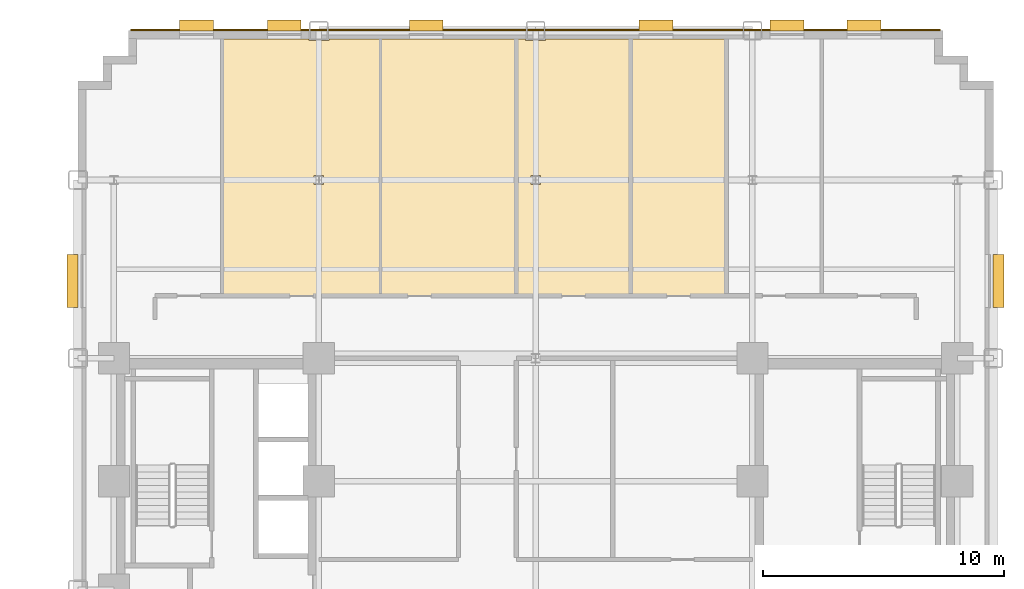
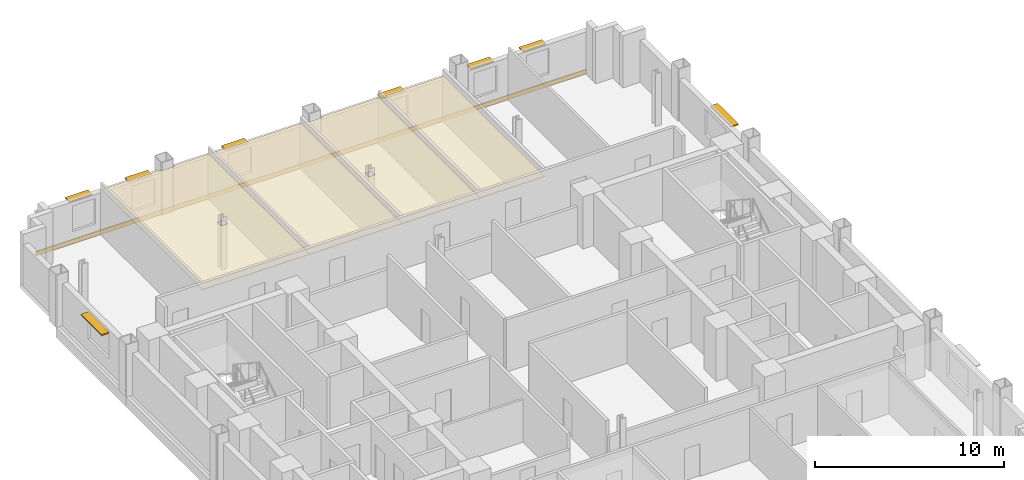
# One storey, part 12 of 12: 8 shading devices, 5 coverings.
"""IFC4 building model written with IfcOpenShell, lengths in metres."""

from ifc_helpers import new_model, si_unit, direction, frame, origin, origin_2d, place, context, subcontext, project, spatial, polyline, rectangle, outline, extrude, source, transform, mapped, material, layer, layer_set, type_object, type_shapes, element, save


model = new_model("IFC4")

# Units and contexts
model_context = context("Model", 3, precision=1e-05, world=origin(), true_north=direction((0.0, 1.0)))
body_context = subcontext(model_context, "Body", "Model", "MODEL_VIEW")
ifc_project = project(units=[si_unit("LENGTHUNIT", "METRE"), si_unit("AREAUNIT", "SQUARE_METRE"), si_unit("VOLUMEUNIT", "CUBIC_METRE"), si_unit("PLANEANGLEUNIT", "RADIAN"), si_unit("MASSUNIT", "GRAM", prefix="KILO")], contexts=[model_context])

# Site, building, storey
site_placement = place(None, origin())
site = spatial("IfcSite", under=ifc_project, at=site_placement, CompositionType="ELEMENT")
building_placement = place(site_placement, origin())
building = spatial("IfcBuilding", under=site, at=building_placement, Name="Nuvemarco Arch Tower", CompositionType="ELEMENT")
storey_placement = place(building_placement, frame((0.0, 0.0, 49.5)))
storey = spatial("IfcBuildingStorey", under=building, at=storey_placement, Name="L12", CompositionType="ELEMENT", Elevation=49.5)

# Coverings
ifc_material_1 = material(Name="Mineral acoustic ceiling tile")
ifc_layer_1 = layer(ifc_material_1, 0.0400390625, Name="COV-ACOUSTIC-CLG")
ifc_layer_set_1 = layer_set([ifc_layer_1], Name="Mineral acoustic ceiling tile")
covering_type_1 = type_object("IfcCoveringType", Name="COV-ACOUSTIC-CLG", PredefinedType="CEILING", material=ifc_layer_set_1)
covering_1_placement = place(storey_placement, frame((0.0, 0.0, 2.85009765625)))
element("IfcCovering", 1, at=covering_1_placement, inside=storey, type_object=covering_type_1, Name="L12 suspended acoustic ceiling 2", PredefinedType="CEILING", context=body_context, shape_type="SweptSolid", body=[
    extrude(outline(polyline([(-6.43994140625, 12.199951171875), (-12.989990234375, 12.199951171875), (-12.989990234375, 22.860107421875), (-9.4150390625, 22.860107421875), (-9.4150390625, 22.784912109375), (-8.5849609375, 22.784912109375), (-8.5849609375, 22.860107421875), (-6.43994140625, 22.860107421875), (-6.43994140625, 12.199951171875)]), holes=[polyline([(-8.804931640625, 16.804931640625), (-8.804931640625, 17.195068359375), (-9.195068359375, 17.195068359375), (-9.195068359375, 16.804931640625), (-8.804931640625, 16.804931640625)])]), origin(), (0.0, 0.0, 1.0), 0.039794921875),
])
covering_2_placement = place(storey_placement, frame((0.0, 0.0, 2.85009765625)))
element("IfcCovering", 2, at=covering_2_placement, inside=storey, type_object=covering_type_1, Name="L12 suspended acoustic ceiling 3", PredefinedType="CEILING", context=body_context, shape_type="SweptSolid", body=[
    extrude(outline(polyline([(-0.800048828125, 12.199951171875), (-3.199951171875, 12.199951171875), (-6.43994140625, 12.199951171875), (-6.43994140625, 22.860107421875), (-0.800048828125, 22.860107421875), (-0.800048828125, 12.199951171875)])), origin(), (0.0, 0.0, 1.0), 0.039794921875),
])
covering_3_placement = place(storey_placement, frame((0.0, 0.0, 2.85009765625)))
element("IfcCovering", 3, at=covering_3_placement, inside=storey, type_object=covering_type_1, Name="L12 suspended acoustic ceiling 5", PredefinedType="CEILING", context=body_context, shape_type="SweptSolid", body=[
    extrude(outline(polyline([(3.949951171875, 12.199951171875), (-0.800048828125, 12.199951171875), (-0.800048828125, 22.860107421875), (-0.4150390625, 22.860107421875), (-0.4150390625, 22.784912109375), (0.4150390625, 22.784912109375), (0.4150390625, 22.860107421875), (3.949951171875, 22.860107421875), (3.949951171875, 12.199951171875)]), holes=[polyline([(0.195068359375, 16.804931640625), (0.195068359375, 17.195068359375), (-0.195068359375, 17.195068359375), (-0.195068359375, 16.804931640625), (0.195068359375, 16.804931640625)])]), origin(), (0.0, 0.0, 1.0), 0.039794921875),
])
covering_4_placement = place(storey_placement, frame((0.0, 0.0, 2.85009765625)))
element("IfcCovering", 4, at=covering_4_placement, inside=storey, type_object=covering_type_1, Name="L12 suspended acoustic ceiling 7", PredefinedType="CEILING", context=body_context, shape_type="SweptSolid", body=[
    extrude(outline(polyline([(3.949951171875, 12.199951171875), (3.949951171875, 22.860107421875), (7.909912109375, 22.860107421875), (7.909912109375, 12.199951171875), (3.949951171875, 12.199951171875)])), origin(), (0.0, 0.0, 1.0), 0.039794921875),
])

# Shading devices
ifc_material_2 = material(Name="Anodised aluminium 6063-T6", Category="aluminium")
shading_device_type_1 = type_object("IfcShadingDeviceType", Name="SHD-BRISE-SOLEIL", PredefinedType="USERDEFINED", material=ifc_material_2)
shared_shape_1 = source(origin(), body_context, "Body", "SweptSolid", [
    extrude(rectangle(XDim=2.199951171875, YDim=0.449951171875, at=origin_2d()), origin(), (0.0, 0.0, 1.0), 0.080078125),
])
type_shapes(shading_device_type_1, [shared_shape_1])
for number, where, z_axis, x_axis, name in (
    (5, (19.215087890625, 12.802490234375, 2.455078125), (0.0, 0.0, 1.0), (0.0, 1.0, 0.0), "L12 horizontal brise-soleil sunshade"),
    (6, (-19.215087890625, 12.802490234375, 2.455078125), (0.0, 0.0, 1.0), (0.0, 1.0, 0.0), "L12 horizontal brise-soleil sunshade"),
):
    element("IfcShadingDevice", number, at=place(storey_placement, frame(where, z_axis=z_axis, x_axis=x_axis)), inside=storey, type_object=shading_device_type_1, Name=name, ObjectType="SUNSHADE", PredefinedType="USERDEFINED", context=body_context, shape_type="MappedRepresentation", body=[
        mapped(shared_shape_1, transform((0.0, 0.0, 0.0), scale=1.0)),
    ])
shading_device_type_2 = type_object("IfcShadingDeviceType", Name="SHD-BRISE-NARROW", PredefinedType="USERDEFINED", material=ifc_material_2)
shared_shape_2 = source(origin(), body_context, "Body", "SweptSolid", [
    extrude(rectangle(XDim=1.39990234375, YDim=0.449951171875, at=origin_2d()), origin(), (0.0, 0.0, 1.0), 0.080078125),
])
type_shapes(shading_device_type_2, [shared_shape_2])
for number, where, z_axis, x_axis, name in (
    (7, (-14.07861328125, 23.4150390625, 2.455078125), (0.0, 0.0, 1.0), (1.0, 0.0, 0.0), "L12 horizontal brise-soleil sunshade"),
    (8, (-10.435791015625, 23.4150390625, 2.455078125), (0.0, 0.0, 1.0), (1.0, 0.0, 0.0), "L12 horizontal brise-soleil sunshade"),
    (9, (-4.54296875, 23.4150390625, 2.455078125), (0.0, 0.0, 1.0), (1.0, 0.0, 0.0), "L12 horizontal brise-soleil sunshade"),
    (10, (4.992919921875, 23.4150390625, 2.455078125), (0.0, 0.0, 1.0), (1.0, 0.0, 0.0), "L12 horizontal brise-soleil sunshade"),
    (11, (10.435791015625, 23.4150390625, 2.455078125), (0.0, 0.0, 1.0), (1.0, 0.0, 0.0), "L12 horizontal brise-soleil sunshade"),
    (12, (13.628662109375, 23.4150390625, 2.455078125), (0.0, 0.0, 1.0), (1.0, 0.0, 0.0), "L12 horizontal brise-soleil sunshade"),
):
    element("IfcShadingDevice", number, at=place(storey_placement, frame(where, z_axis=z_axis, x_axis=x_axis)), inside=storey, type_object=shading_device_type_2, Name=name, ObjectType="SUNSHADE", PredefinedType="USERDEFINED", context=body_context, shape_type="MappedRepresentation", body=[
        mapped(shared_shape_2, transform((0.0, 0.0, 0.0), scale=1.0)),
    ])

# Covering
ifc_material_3 = material(Name="Precast concrete C45/55", Category="concrete")
ifc_layer_2 = layer(ifc_material_3, 0.06005859375, Name="COV-SPANDREL-CLAD")
ifc_layer_set_2 = layer_set([ifc_layer_2], Name="Precast concrete C45/55")
covering_type_2 = type_object("IfcCoveringType", Name="COV-SPANDREL-CLAD", PredefinedType="CLADDING", material=ifc_layer_set_2)
shared_shape_3 = source(origin(), body_context, "Body", "SweptSolid", [
    extrude(rectangle(XDim=33.60009765625, YDim=0.06005859375, at=origin_2d()), origin(), (0.0, 0.0, 1.0), 0.280029296875),
])
type_shapes(covering_type_2, [shared_shape_3])
covering_5_placement = place(storey_placement, frame((0.0, 23.22900390625, -0.27978515625), z_axis=(0.0, 0.0, 1.0), x_axis=(1.0, 0.0, 0.0)))
element("IfcCovering", 13, at=covering_5_placement, inside=storey, type_object=covering_type_2, Name="L12 precast spandrel edge cladding north", PredefinedType="CLADDING", context=body_context, shape_type="MappedRepresentation", body=[
    mapped(shared_shape_3, transform((0.0, 0.0, 0.0), scale=1.0)),
])

save(model, "model.ifc")
